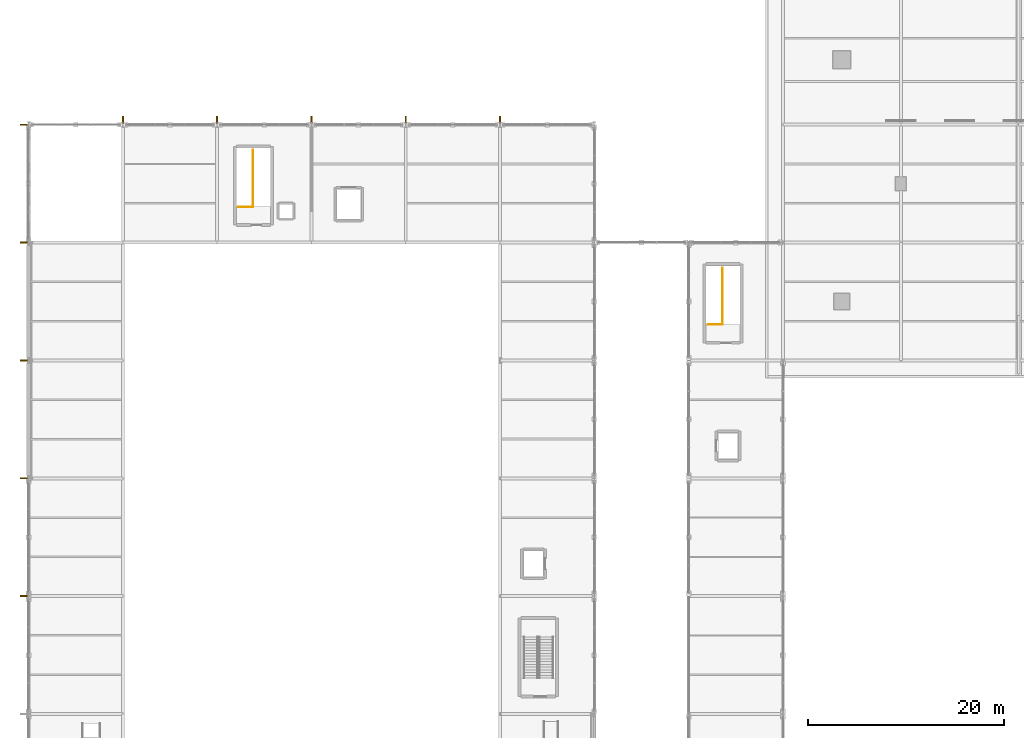
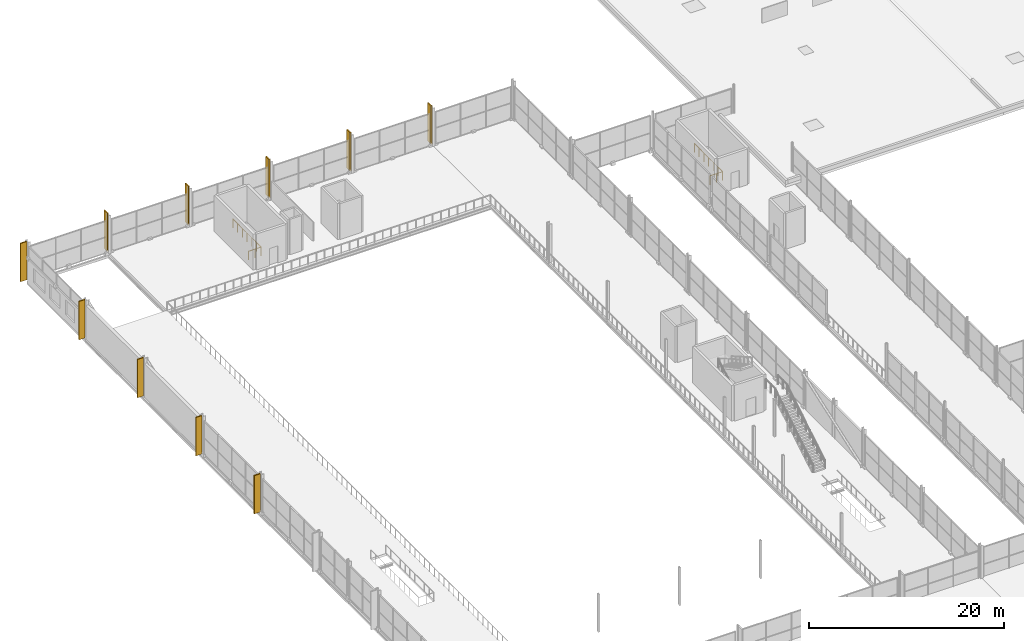
# One storey, part 156 of 159: 10 coverings, 2 railings.
"""IFC4 building model written with IfcOpenShell, lengths in metres."""

from ifc_helpers import new_model, si_unit, direction, frame, origin, origin_2d, place, context, subcontext, project, spatial, polyline, circle, outline, extrude, material, layer, layer_set, type_object, element, save


model = new_model("IFC4")

# Units and contexts
model_context = context("Model", 3, precision=1e-05, world=origin(), true_north=direction((0.0, 1.0)))
body_context = subcontext(model_context, "Body", "Model", "MODEL_VIEW")
ifc_project = project(units=[si_unit("LENGTHUNIT", "METRE"), si_unit("AREAUNIT", "SQUARE_METRE"), si_unit("VOLUMEUNIT", "CUBIC_METRE"), si_unit("PLANEANGLEUNIT", "RADIAN"), si_unit("MASSUNIT", "GRAM", prefix="KILO")], contexts=[model_context])

# Site, building, storey
site_placement = place(None, origin())
site = spatial("IfcSite", under=ifc_project, at=site_placement, CompositionType="ELEMENT")
building_placement = place(site_placement, origin())
building = spatial("IfcBuilding", under=site, at=building_placement, Name="Merenkruunu Market Hall", CompositionType="ELEMENT")
storey_placement = place(building_placement, frame((0.0, 0.0, 5.39990234375)))
storey = spatial("IfcBuildingStorey", under=building, at=storey_placement, Name="L01", CompositionType="ELEMENT", Elevation=5.39990234375)

# Coverings
ifc_material_1 = material(Name="Precast concrete C40/50", Category="concrete")
ifc_layer = layer(ifc_material_1, 0.139892578125)
ifc_layer_set = layer_set([ifc_layer], Name="Precast concrete C40/50")
covering_type = type_object("IfcCoveringType", Name="Architectural Precast Sun Fin CLD02", PredefinedType="CLADDING", material=ifc_layer_set)
covering_1_placement = place(storey_placement, origin())
element("IfcCovering", 1, at=covering_1_placement, inside=storey, type_object=covering_type, Name="FIN-W-L01-014", PredefinedType="CLADDING", context=body_context, shape_type="SweptSolid", body=[
    extrude(outline(polyline([(-0.8701171875, 63.530029296875), (-0.14794921875, 63.530029296875), (-0.14794921875, 63.669921875), (-0.8701171875, 63.669921875), (-0.8701171875, 63.530029296875)])), origin(), (0.0, 0.0, 1.0), 4.800048828125),
])
covering_2_placement = place(storey_placement, origin())
element("IfcCovering", 2, at=covering_2_placement, inside=storey, type_object=covering_type, Name="FIN-W-L01-017", PredefinedType="CLADDING", context=body_context, shape_type="SweptSolid", body=[
    extrude(outline(polyline([(-0.8701171875, 75.530029296875), (-0.14794921875, 75.530029296875), (-0.14794921875, 75.669921875), (-0.8701171875, 75.669921875), (-0.8701171875, 75.530029296875)])), origin(), (0.0, 0.0, 1.0), 4.800048828125),
])
covering_3_placement = place(storey_placement, origin())
element("IfcCovering", 3, at=covering_3_placement, inside=storey, type_object=covering_type, Name="FIN-W-L01-020", PredefinedType="CLADDING", context=body_context, shape_type="SweptSolid", body=[
    extrude(outline(polyline([(-0.8701171875, 87.530029296875), (-0.14794921875, 87.530029296875), (-0.14794921875, 87.669921875), (-0.8701171875, 87.669921875), (-0.8701171875, 87.530029296875)])), origin(), (0.0, 0.0, 1.0), 4.800048828125),
])
covering_4_placement = place(storey_placement, origin())
element("IfcCovering", 4, at=covering_4_placement, inside=storey, type_object=covering_type, Name="FIN-W-L01-023", PredefinedType="CLADDING", context=body_context, shape_type="SweptSolid", body=[
    extrude(outline(polyline([(-0.8701171875, 99.530029296875), (-0.14794921875, 99.530029296875), (-0.14794921875, 99.669921875), (-0.8701171875, 99.669921875), (-0.8701171875, 99.530029296875)])), origin(), (0.0, 0.0, 1.0), 4.800048828125),
])
covering_5_placement = place(storey_placement, origin())
element("IfcCovering", 5, at=covering_5_placement, inside=storey, type_object=covering_type, Name="FIN-W-L01-026", PredefinedType="CLADDING", context=body_context, shape_type="SweptSolid", body=[
    extrude(outline(polyline([(-0.8701171875, 111.530029296875), (-0.14794921875, 111.530029296875), (-0.14794921875, 111.669921875), (-0.8701171875, 111.669921875), (-0.8701171875, 111.530029296875)])), origin(), (0.0, 0.0, 1.0), 4.800048828125),
])
covering_6_placement = place(storey_placement, origin())
element("IfcCovering", 6, at=covering_6_placement, inside=storey, type_object=covering_type, Name="FIN-N-L01-031", PredefinedType="CLADDING", context=body_context, shape_type="SweptSolid", body=[
    extrude(outline(polyline([(9.530029296875, 111.748046875), (9.669921875, 111.748046875), (9.669921875, 112.469970703125), (9.530029296875, 112.469970703125), (9.530029296875, 111.748046875)])), origin(), (0.0, 0.0, 1.0), 4.800048828125),
])
covering_7_placement = place(storey_placement, origin())
element("IfcCovering", 7, at=covering_7_placement, inside=storey, type_object=covering_type, Name="FIN-N-L01-036", PredefinedType="CLADDING", context=body_context, shape_type="SweptSolid", body=[
    extrude(outline(polyline([(19.1298828125, 111.748046875), (19.27001953125, 111.748046875), (19.27001953125, 112.469970703125), (19.1298828125, 112.469970703125), (19.1298828125, 111.748046875)])), origin(), (0.0, 0.0, 1.0), 4.800048828125),
])
covering_8_placement = place(storey_placement, origin())
element("IfcCovering", 8, at=covering_8_placement, inside=storey, type_object=covering_type, Name="FIN-N-L01-041", PredefinedType="CLADDING", context=body_context, shape_type="SweptSolid", body=[
    extrude(outline(polyline([(28.72998046875, 111.748046875), (28.8701171875, 111.748046875), (28.8701171875, 112.469970703125), (28.72998046875, 112.469970703125), (28.72998046875, 111.748046875)])), origin(), (0.0, 0.0, 1.0), 4.800048828125),
])
covering_9_placement = place(storey_placement, origin())
element("IfcCovering", 9, at=covering_9_placement, inside=storey, type_object=covering_type, Name="FIN-N-L01-046", PredefinedType="CLADDING", context=body_context, shape_type="SweptSolid", body=[
    extrude(outline(polyline([(38.330078125, 111.748046875), (38.469970703125, 111.748046875), (38.469970703125, 112.469970703125), (38.330078125, 112.469970703125), (38.330078125, 111.748046875)])), origin(), (0.0, 0.0, 1.0), 4.800048828125),
])
covering_10_placement = place(storey_placement, origin())
element("IfcCovering", 10, at=covering_10_placement, inside=storey, type_object=covering_type, Name="FIN-N-L01-051", PredefinedType="CLADDING", context=body_context, shape_type="SweptSolid", body=[
    extrude(outline(polyline([(47.929931640625, 111.748046875), (48.070068359375, 111.748046875), (48.070068359375, 112.469970703125), (47.929931640625, 112.469970703125), (47.929931640625, 111.748046875)])), origin(), (0.0, 0.0, 1.0), 4.800048828125),
])

# Railings
ifc_material_2 = material(Name="Brushed stainless steel", Category="steel")
railing_type = type_object("IfcRailingType", Name="Gallery Balustrade Guard GR01", PredefinedType="BALUSTRADE", material=ifc_material_2)
for number, where, name in (
    (11, (21.360107421875, 103.239990234375, 0.0), "RAIL-L01-0009"),
    (12, (69.159912109375, 91.239990234375, 0.0), "RAIL-L01-0036"),
):
    element("IfcRailing", number, at=place(storey_placement, frame(where)), inside=storey, type_object=railing_type, Name=name, PredefinedType="BALUSTRADE", context=body_context, shape_type="SweptSolid", body=[
        extrude(circle(Radius=0.02392578125, at=origin_2d()), frame((0.0, 0.0, 1.076171875), z_axis=(1.0, 0.0, 0.0), x_axis=(0.0, 1.0, 0.0)), (0.0, 0.0, 1.0), 1.5),
        extrude(circle(Radius=0.02392578125, at=origin_2d()), frame((1.5, 0.0, 1.076171875), z_axis=(0.0, 1.0, 0.0), x_axis=(-1.0, 0.0, 0.0)), (0.0, 0.0, 1.0), 5.800048828125),
        extrude(circle(Radius=0.02099609375, at=origin_2d()), origin(), (0.0, 0.0, 1.0), 1.052001953125),
        extrude(circle(Radius=0.02099609375, at=origin_2d()), frame((0.75, 0.0, 0.0)), (0.0, 0.0, 1.0), 1.052001953125),
        extrude(circle(Radius=0.02099609375, at=origin_2d()), frame((1.5, 0.0, 0.0)), (0.0, 0.0, 1.0), 1.052001953125),
        extrude(circle(Radius=0.02099609375, at=origin_2d()), frame((1.5, 0.966796875, 0.0)), (0.0, 0.0, 1.0), 1.052001953125),
        extrude(circle(Radius=0.02099609375, at=origin_2d()), frame((1.5, 1.933349609375, 0.0)), (0.0, 0.0, 1.0), 1.052001953125),
        extrude(circle(Radius=0.02099609375, at=origin_2d()), frame((1.5, 2.89990234375, 0.0)), (0.0, 0.0, 1.0), 1.052001953125),
        extrude(circle(Radius=0.02099609375, at=origin_2d()), frame((1.5, 3.86669921875, 0.0)), (0.0, 0.0, 1.0), 1.052001953125),
        extrude(circle(Radius=0.02099609375, at=origin_2d()), frame((1.5, 4.83349609375, 0.0)), (0.0, 0.0, 1.0), 1.052001953125),
        extrude(circle(Radius=0.02099609375, at=origin_2d()), frame((1.5, 5.800048828125, 0.0)), (0.0, 0.0, 1.0), 1.052001953125),
    ])

save(model, "model.ifc")
